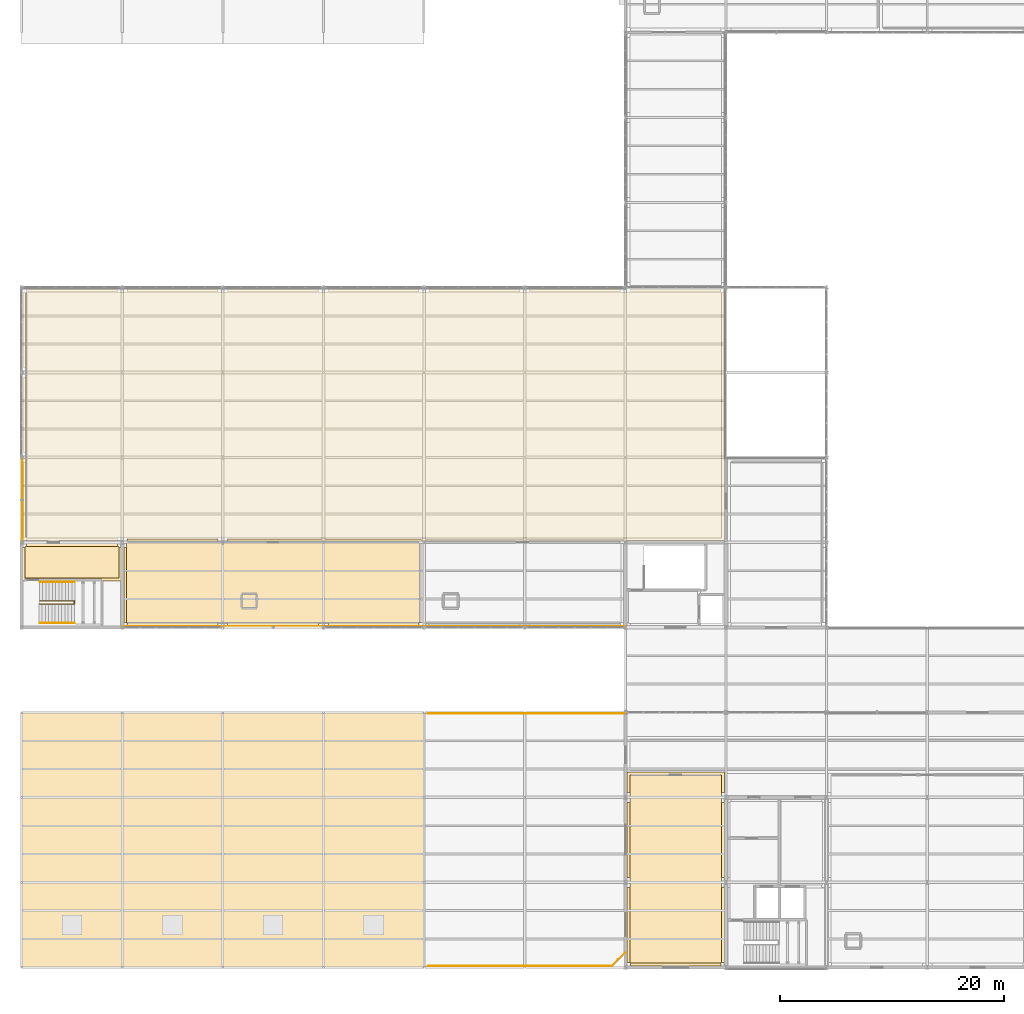
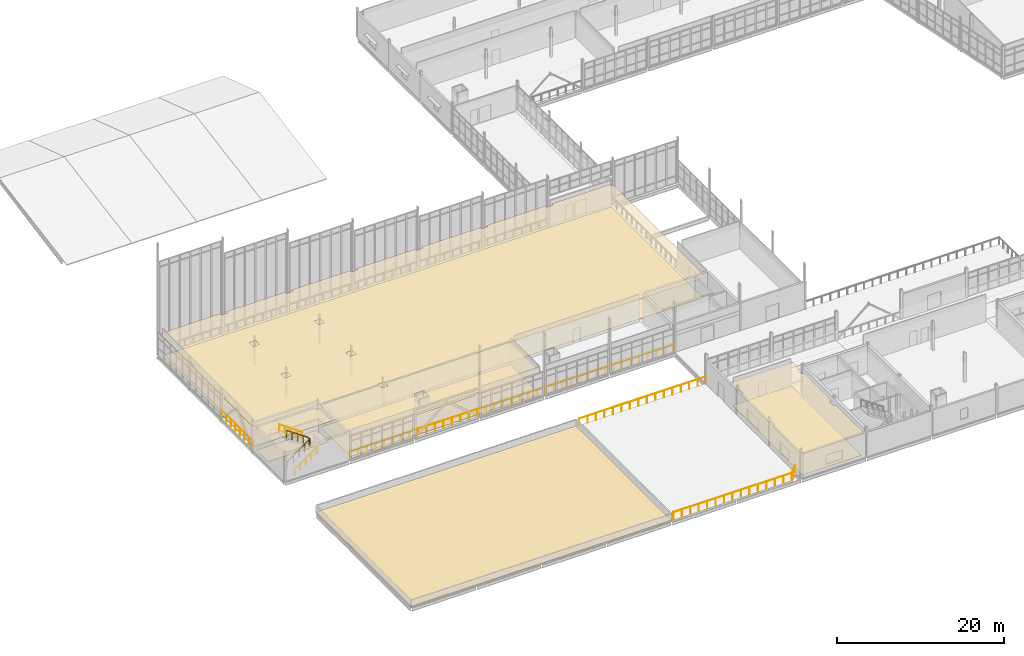
# One storey, part 161 of 166: 9 coverings, 7 railings.
"""IFC4 building model written with IfcOpenShell, lengths in metres."""

from ifc_helpers import new_model, si_unit, direction, frame, origin, origin_2d, place, context, subcontext, project, spatial, polyline, circle, outline, extrude, material, layer, layer_set, type_object, element, save


model = new_model("IFC4")

# Units and contexts
model_context = context("Model", 3, precision=1e-05, world=origin(), true_north=direction((0.0, 1.0)))
body_context = subcontext(model_context, "Body", "Model", "MODEL_VIEW")
ifc_project = project(units=[si_unit("LENGTHUNIT", "METRE"), si_unit("AREAUNIT", "SQUARE_METRE"), si_unit("VOLUMEUNIT", "CUBIC_METRE"), si_unit("PLANEANGLEUNIT", "RADIAN"), si_unit("MASSUNIT", "GRAM", prefix="KILO")], contexts=[model_context])

# Site, building, storey
site_placement = place(None, origin())
site = spatial("IfcSite", under=ifc_project, at=site_placement, CompositionType="ELEMENT")
building_placement = place(site_placement, origin())
building = spatial("IfcBuilding", under=site, at=building_placement, Name="Caisbarro Railhouse Central Library", CompositionType="ELEMENT")
storey_placement = place(building_placement, frame((0.0, 0.0, 9.360107421875)))
storey = spatial("IfcBuildingStorey", under=building, at=storey_placement, Name="L02", CompositionType="ELEMENT", Elevation=9.360107421875)

# Coverings
ifc_material_1 = material(Name="Perforated mineral-fibre acoustic ceiling tile")
ifc_layer_1 = layer(ifc_material_1, 0.01806640625, Name="Perforated mineral-fibre acoustic ceiling tile")
ifc_layer_set_1 = layer_set([ifc_layer_1], Name="Perforated mineral-fibre acoustic ceiling tile")
covering_type_1 = type_object("IfcCoveringType", Name="COV-CL01", PredefinedType="CEILING", material=ifc_layer_set_1)
covering_1_placement = place(storey_placement, frame((0.0, 0.0, 3.119873046875)))
element("IfcCovering", 1, at=covering_1_placement, inside=storey, type_object=covering_type_1, Name="CL01 acoustic ceiling Stair Lobby K6", PredefinedType="CEILING", context=body_context, shape_type="SweptSolid", body=[
    extrude(outline(polyline([(0.43994140625, 37.56005859375), (0.43994140625, 37.909912109375), (8.56005859375, 37.909912109375), (8.56005859375, 37.56005859375), (8.9599609375, 37.56005859375), (8.9599609375, 34.5400390625), (0.0400390625, 34.5400390625), (0.0400390625, 37.56005859375), (0.43994140625, 37.56005859375)])), origin(), (0.0, 0.0, 1.0), 0.01806640625),
])
covering_2_placement = place(storey_placement, frame((0.0, 0.0, 3.119873046875)))
element("IfcCovering", 2, at=covering_2_placement, inside=storey, type_object=covering_type_1, Name="CL01 acoustic ceiling Silent Research Alcove South", PredefinedType="CEILING", context=body_context, shape_type="SweptSolid", body=[
    extrude(outline(polyline([(17.56005859375, 30.840087890625), (17.56005859375, 30.5400390625), (9.43994140625, 30.5400390625), (9.43994140625, 30.840087890625), (9.139892578125, 30.840087890625), (9.139892578125, 37.56005859375), (9.43994140625, 37.56005859375), (9.43994140625, 38.260009765625), (17.56005859375, 38.260009765625), (17.56005859375, 37.56005859375), (18.43994140625, 37.56005859375), (18.43994140625, 38.260009765625), (35.860107421875, 38.260009765625), (35.860107421875, 30.840087890625), (35.56005859375, 30.840087890625), (35.56005859375, 30.5400390625), (27.43994140625, 30.5400390625), (27.43994140625, 30.840087890625), (26.56005859375, 30.840087890625), (26.56005859375, 30.5400390625), (18.43994140625, 30.5400390625), (18.43994140625, 30.840087890625), (17.56005859375, 30.840087890625)])), origin(), (0.0, 0.0, 1.0), 0.01806640625),
])
covering_3_placement = place(storey_placement, frame((0.0, 0.0, 3.25)))
element("IfcCovering", 3, at=covering_3_placement, inside=storey, type_object=covering_type_1, Name="CL01 acoustic ceiling Architecture and Art Folio Room", PredefinedType="CEILING", context=body_context, shape_type="SweptSolid", body=[
    extrude(outline(polyline([(54.139892578125, 0.43994140625), (54.139892578125, 7.159912109375), (54.43994140625, 7.159912109375), (54.43994140625, 8.0400390625), (54.139892578125, 8.0400390625), (54.139892578125, 14.760009765625), (54.43994140625, 14.760009765625), (54.43994140625, 15.639892578125), (54.139892578125, 15.639892578125), (54.139892578125, 17.4599609375), (62.860107421875, 17.4599609375), (62.860107421875, 15.639892578125), (62.56005859375, 15.639892578125), (62.56005859375, 14.760009765625), (62.860107421875, 14.760009765625), (62.860107421875, 8.0400390625), (62.56005859375, 8.0400390625), (62.56005859375, 7.159912109375), (62.860107421875, 7.159912109375), (62.860107421875, 0.43994140625), (62.56005859375, 0.43994140625), (62.56005859375, 0.139892578125), (54.43994140625, 0.139892578125), (54.43994140625, 0.43994140625), (54.139892578125, 0.43994140625)])), origin(), (0.0, 0.0, 1.0), 0.017822265625),
])
ifc_material_2 = material(Name="Slatted acoustic timber baffle ceiling", Category="wood")
ifc_layer_2 = layer(ifc_material_2, 0.031982421875, Name="Slatted acoustic timber baffle ceiling")
ifc_layer_set_2 = layer_set([ifc_layer_2], Name="Slatted acoustic timber baffle ceiling")
covering_type_2 = type_object("IfcCoveringType", Name="COV-CL02", PredefinedType="CEILING", material=ifc_layer_set_2)
covering_4_placement = place(storey_placement, frame((0.0, 0.0, 3.119873046875)))
element("IfcCovering", 4, at=covering_4_placement, inside=storey, type_object=covering_type_2, Name="CL02 acoustic ceiling Main Reading Hall", PredefinedType="CEILING", context=body_context, shape_type="SweptSolid", body=[
    extrude(outline(polyline([(0.43994140625, 60.659912109375), (8.56005859375, 60.659912109375), (8.56005859375, 60.360107421875), (9.43994140625, 60.360107421875), (9.43994140625, 60.659912109375), (17.56005859375, 60.659912109375), (17.56005859375, 60.360107421875), (18.43994140625, 60.360107421875), (18.43994140625, 60.659912109375), (26.56005859375, 60.659912109375), (26.56005859375, 60.360107421875), (27.43994140625, 60.360107421875), (27.43994140625, 60.659912109375), (35.56005859375, 60.659912109375), (35.56005859375, 60.360107421875), (36.43994140625, 60.360107421875), (36.43994140625, 60.659912109375), (44.56005859375, 60.659912109375), (44.56005859375, 60.360107421875), (45.43994140625, 60.360107421875), (45.43994140625, 60.659912109375), (53.56005859375, 60.659912109375), (53.56005859375, 60.360107421875), (54.43994140625, 60.360107421875), (54.43994140625, 60.659912109375), (62.56005859375, 60.659912109375), (62.56005859375, 60.360107421875), (62.860107421875, 60.360107421875), (62.860107421875, 38.139892578125), (18.43994140625, 38.139892578125), (18.43994140625, 38.43994140625), (17.56005859375, 38.43994140625), (17.56005859375, 38.139892578125), (9.43994140625, 38.139892578125), (9.43994140625, 38.43994140625), (8.56005859375, 38.43994140625), (8.56005859375, 38.139892578125), (0.43994140625, 38.139892578125), (0.43994140625, 38.43994140625), (0.139892578125, 38.43994140625), (0.139892578125, 45.159912109375), (0.43994140625, 45.159912109375), (0.43994140625, 46.0400390625), (0.139892578125, 46.0400390625), (0.139892578125, 52.760009765625), (0.43994140625, 52.760009765625), (0.43994140625, 53.639892578125), (0.139892578125, 53.639892578125), (0.139892578125, 60.360107421875), (0.43994140625, 60.360107421875), (0.43994140625, 60.659912109375)]), holes=[polyline([(9.43994140625, 45.159912109375), (9.43994140625, 46.0400390625), (8.56005859375, 46.0400390625), (8.56005859375, 45.159912109375), (9.43994140625, 45.159912109375)]), polyline([(8.56005859375, 52.760009765625), (9.43994140625, 52.760009765625), (9.43994140625, 53.639892578125), (8.56005859375, 53.639892578125), (8.56005859375, 52.760009765625)]), polyline([(18.43994140625, 45.159912109375), (18.43994140625, 46.0400390625), (17.56005859375, 46.0400390625), (17.56005859375, 45.159912109375), (18.43994140625, 45.159912109375)]), polyline([(17.56005859375, 52.760009765625), (18.43994140625, 52.760009765625), (18.43994140625, 53.639892578125), (17.56005859375, 53.639892578125), (17.56005859375, 52.760009765625)])]), origin(), (0.0, 0.0, 1.0), 0.031982421875),
])
ifc_material_3 = material(Name="Polished cementitious terrazzo flooring")
ifc_layer_3 = layer(ifc_material_3, 0.02197265625, Name="Polished cementitious terrazzo flooring")
ifc_layer_set_3 = layer_set([ifc_layer_3], Name="Polished cementitious terrazzo flooring")
covering_type_3 = type_object("IfcCoveringType", Name="COV-FL01", PredefinedType="FLOORING", material=ifc_layer_set_3)
covering_5_placement = place(storey_placement, origin())
element("IfcCovering", 5, at=covering_5_placement, inside=storey, type_object=covering_type_3, Name="FL01 flooring Stair Lobby K6", PredefinedType="FLOORING", context=body_context, shape_type="SweptSolid", body=[
    extrude(outline(polyline([(0.300048828125, 34.800048828125), (8.699951171875, 34.800048828125), (8.699951171875, 37.64990234375), (0.300048828125, 37.64990234375), (0.300048828125, 34.800048828125)])), origin(), (0.0, 0.0, 1.0), 0.02197265625),
])
covering_6_placement = place(storey_placement, origin())
element("IfcCovering", 6, at=covering_6_placement, inside=storey, type_object=covering_type_3, Name="FL01 flooring Main Reading Hall", PredefinedType="FLOORING", context=body_context, shape_type="SweptSolid", body=[
    extrude(outline(polyline([(0.39990234375, 38.39990234375), (62.60009765625, 38.39990234375), (62.60009765625, 60.39990234375), (0.39990234375, 60.39990234375), (0.39990234375, 38.39990234375)])), origin(), (0.0, 0.0, 1.0), 0.02197265625),
])
ifc_material_4 = material(Name="Heavy-duty acoustic linoleum flooring")
ifc_layer_4 = layer(ifc_material_4, 0.011962890625, Name="Heavy-duty acoustic linoleum flooring")
ifc_layer_set_4 = layer_set([ifc_layer_4], Name="Heavy-duty acoustic linoleum flooring")
covering_type_4 = type_object("IfcCoveringType", Name="COV-FL02", PredefinedType="FLOORING", material=ifc_layer_set_4)
covering_7_placement = place(storey_placement, origin())
element("IfcCovering", 7, at=covering_7_placement, inside=storey, type_object=covering_type_4, Name="FL02 flooring Silent Research Alcove South", PredefinedType="FLOORING", context=body_context, shape_type="SweptSolid", body=[
    extrude(outline(polyline([(9.39990234375, 30.800048828125), (35.60009765625, 30.800048828125), (35.60009765625, 38.0), (9.39990234375, 38.0), (9.39990234375, 30.800048828125)])), origin(), (0.0, 0.0, 1.0), 0.011962890625),
])
covering_8_placement = place(storey_placement, origin())
element("IfcCovering", 8, at=covering_8_placement, inside=storey, type_object=covering_type_4, Name="FL02 flooring Architecture and Art Folio Room", PredefinedType="FLOORING", context=body_context, shape_type="SweptSolid", body=[
    extrude(outline(polyline([(54.39990234375, 0.39990234375), (62.60009765625, 0.39990234375), (62.60009765625, 17.199951171875), (54.39990234375, 17.199951171875), (54.39990234375, 0.39990234375)])), origin(), (0.0, 0.0, 1.0), 0.011962890625),
])
ifc_material_5 = material(Name="TPO waterproof membrane over PIR insulation")
ifc_layer_5 = layer(ifc_material_5, 0.080078125, Name="TPO waterproof membrane over PIR insulation")
ifc_layer_set_5 = layer_set([ifc_layer_5], Name="TPO waterproof membrane over PIR insulation")
covering_type_5 = type_object("IfcCoveringType", Name="COV-ROOF01", PredefinedType="ROOFING", material=ifc_layer_set_5)
covering_9_placement = place(storey_placement, origin())
element("IfcCovering", 9, at=covering_9_placement, inside=storey, type_object=covering_type_5, Name="V5W Roof Waterproofing Membrane", PredefinedType="ROOFING", context=body_context, shape_type="SweptSolid", body=[
    extrude(outline(polyline([(0.0, 0.0), (36.0, 0.0), (36.0, 22.800048828125), (0.0, 22.800048828125), (0.0, 0.0)])), origin(), (0.0, 0.0, 1.0), 0.079833984375),
])

# Railings
ifc_material_6 = material(Name="Laminated safety glass balustrade with stainless top rail", Category="glass")
railing_type_1 = type_object("IfcRailingType", Name="RLG-ATR112", PredefinedType="GUARDRAIL", material=ifc_material_6)
railing_1_placement = place(storey_placement, frame((9.10009765625, 30.5, 0.0)))
element("IfcRailing", 10, at=railing_1_placement, inside=storey, type_object=railing_type_1, Name="RG02 Interior Void Balustrade L02-15", PredefinedType="GUARDRAIL", context=body_context, shape_type="SweptSolid", body=[
    extrude(circle(Radius=0.02392578125, at=origin_2d()), frame((0.0, 0.0, 1.09619140625), z_axis=(1.0, 0.0, 0.0), x_axis=(0.0, 1.0, 0.0)), (0.0, 0.0, 1.0), 44.7998046875),
    extrude(circle(Radius=0.02099609375, at=origin_2d()), origin(), (0.0, 0.0, 1.0), 1.072021484375),
    extrude(circle(Radius=0.02099609375, at=origin_2d()), frame((1.178955078125, 0.0, 0.0)), (0.0, 0.0, 1.0), 1.072021484375),
    extrude(circle(Radius=0.02099609375, at=origin_2d()), frame((2.35791015625, 0.0, 0.0)), (0.0, 0.0, 1.0), 1.072021484375),
    extrude(circle(Radius=0.02099609375, at=origin_2d()), frame((3.536865234375, 0.0, 0.0)), (0.0, 0.0, 1.0), 1.072021484375),
    extrude(circle(Radius=0.02099609375, at=origin_2d()), frame((4.7158203125, 0.0, 0.0)), (0.0, 0.0, 1.0), 1.072021484375),
    extrude(circle(Radius=0.02099609375, at=origin_2d()), frame((5.894775390625, 0.0, 0.0)), (0.0, 0.0, 1.0), 1.072021484375),
    extrude(circle(Radius=0.02099609375, at=origin_2d()), frame((7.07373046875, 0.0, 0.0)), (0.0, 0.0, 1.0), 1.072021484375),
    extrude(circle(Radius=0.02099609375, at=origin_2d()), frame((8.252685546875, 0.0, 0.0)), (0.0, 0.0, 1.0), 1.072021484375),
    extrude(circle(Radius=0.02099609375, at=origin_2d()), frame((9.431640625, 0.0, 0.0)), (0.0, 0.0, 1.0), 1.072021484375),
    extrude(circle(Radius=0.02099609375, at=origin_2d()), frame((10.610595703125, 0.0, 0.0)), (0.0, 0.0, 1.0), 1.072021484375),
    extrude(circle(Radius=0.02099609375, at=origin_2d()), frame((11.789306640625, 0.0, 0.0)), (0.0, 0.0, 1.0), 1.072021484375),
    extrude(circle(Radius=0.02099609375, at=origin_2d()), frame((12.96826171875, 0.0, 0.0)), (0.0, 0.0, 1.0), 1.072021484375),
    extrude(circle(Radius=0.02099609375, at=origin_2d()), frame((14.147216796875, 0.0, 0.0)), (0.0, 0.0, 1.0), 1.072021484375),
    extrude(circle(Radius=0.02099609375, at=origin_2d()), frame((15.326171875, 0.0, 0.0)), (0.0, 0.0, 1.0), 1.072021484375),
    extrude(circle(Radius=0.02099609375, at=origin_2d()), frame((16.505126953125, 0.0, 0.0)), (0.0, 0.0, 1.0), 1.072021484375),
    extrude(circle(Radius=0.02099609375, at=origin_2d()), frame((17.68408203125, 0.0, 0.0)), (0.0, 0.0, 1.0), 1.072021484375),
    extrude(circle(Radius=0.02099609375, at=origin_2d()), frame((18.863037109375, 0.0, 0.0)), (0.0, 0.0, 1.0), 1.072021484375),
    extrude(circle(Radius=0.02099609375, at=origin_2d()), frame((20.0419921875, 0.0, 0.0)), (0.0, 0.0, 1.0), 1.072021484375),
    extrude(circle(Radius=0.02099609375, at=origin_2d()), frame((21.220947265625, 0.0, 0.0)), (0.0, 0.0, 1.0), 1.072021484375),
    extrude(circle(Radius=0.02099609375, at=origin_2d()), frame((22.39990234375, 0.0, 0.0)), (0.0, 0.0, 1.0), 1.072021484375),
    extrude(circle(Radius=0.02099609375, at=origin_2d()), frame((23.578857421875, 0.0, 0.0)), (0.0, 0.0, 1.0), 1.072021484375),
    extrude(circle(Radius=0.02099609375, at=origin_2d()), frame((24.7578125, 0.0, 0.0)), (0.0, 0.0, 1.0), 1.072021484375),
    extrude(circle(Radius=0.02099609375, at=origin_2d()), frame((25.936767578125, 0.0, 0.0)), (0.0, 0.0, 1.0), 1.072021484375),
    extrude(circle(Radius=0.02099609375, at=origin_2d()), frame((27.11572265625, 0.0, 0.0)), (0.0, 0.0, 1.0), 1.072021484375),
    extrude(circle(Radius=0.02099609375, at=origin_2d()), frame((28.294677734375, 0.0, 0.0)), (0.0, 0.0, 1.0), 1.072021484375),
    extrude(circle(Radius=0.02099609375, at=origin_2d()), frame((29.4736328125, 0.0, 0.0)), (0.0, 0.0, 1.0), 1.072021484375),
    extrude(circle(Radius=0.02099609375, at=origin_2d()), frame((30.652587890625, 0.0, 0.0)), (0.0, 0.0, 1.0), 1.072021484375),
    extrude(circle(Radius=0.02099609375, at=origin_2d()), frame((31.83154296875, 0.0, 0.0)), (0.0, 0.0, 1.0), 1.072021484375),
    extrude(circle(Radius=0.02099609375, at=origin_2d()), frame((33.010498046875, 0.0, 0.0)), (0.0, 0.0, 1.0), 1.072021484375),
    extrude(circle(Radius=0.02099609375, at=origin_2d()), frame((34.189208984375, 0.0, 0.0)), (0.0, 0.0, 1.0), 1.072021484375),
    extrude(circle(Radius=0.02099609375, at=origin_2d()), frame((35.3681640625, 0.0, 0.0)), (0.0, 0.0, 1.0), 1.072021484375),
    extrude(circle(Radius=0.02099609375, at=origin_2d()), frame((36.547119140625, 0.0, 0.0)), (0.0, 0.0, 1.0), 1.072021484375),
    extrude(circle(Radius=0.02099609375, at=origin_2d()), frame((37.72607421875, 0.0, 0.0)), (0.0, 0.0, 1.0), 1.072021484375),
    extrude(circle(Radius=0.02099609375, at=origin_2d()), frame((38.905029296875, 0.0, 0.0)), (0.0, 0.0, 1.0), 1.072021484375),
    extrude(circle(Radius=0.02099609375, at=origin_2d()), frame((40.083984375, 0.0, 0.0)), (0.0, 0.0, 1.0), 1.072021484375),
    extrude(circle(Radius=0.02099609375, at=origin_2d()), frame((41.262939453125, 0.0, 0.0)), (0.0, 0.0, 1.0), 1.072021484375),
    extrude(circle(Radius=0.02099609375, at=origin_2d()), frame((42.44189453125, 0.0, 0.0)), (0.0, 0.0, 1.0), 1.072021484375),
    extrude(circle(Radius=0.02099609375, at=origin_2d()), frame((43.620849609375, 0.0, 0.0)), (0.0, 0.0, 1.0), 1.072021484375),
    extrude(circle(Radius=0.02099609375, at=origin_2d()), frame((44.7998046875, 0.0, 0.0)), (0.0, 0.0, 1.0), 1.072021484375),
])
railing_2_placement = place(storey_placement, frame((0.10009765625, 38.0, 0.0)))
element("IfcRailing", 11, at=railing_2_placement, inside=storey, type_object=railing_type_1, Name="RG02 Interior Void Balustrade L02-30", PredefinedType="GUARDRAIL", context=body_context, shape_type="SweptSolid", body=[
    extrude(circle(Radius=0.02392578125, at=origin_2d()), frame((0.0, 0.0, 1.09619140625), z_axis=(0.0, 1.0, 0.0), x_axis=(-1.0, 0.0, 0.0)), (0.0, 0.0, 1.0), 7.60009765625),
    extrude(circle(Radius=0.02099609375, at=origin_2d()), origin(), (0.0, 0.0, 1.0), 1.072021484375),
    extrude(circle(Radius=0.02099609375, at=origin_2d()), frame((0.0, 1.085693359375, 0.0)), (0.0, 0.0, 1.0), 1.072021484375),
    extrude(circle(Radius=0.02099609375, at=origin_2d()), frame((0.0, 2.17138671875, 0.0)), (0.0, 0.0, 1.0), 1.072021484375),
    extrude(circle(Radius=0.02099609375, at=origin_2d()), frame((0.0, 3.257080078125, 0.0)), (0.0, 0.0, 1.0), 1.072021484375),
    extrude(circle(Radius=0.02099609375, at=origin_2d()), frame((0.0, 4.343017578125, 0.0)), (0.0, 0.0, 1.0), 1.072021484375),
    extrude(circle(Radius=0.02099609375, at=origin_2d()), frame((0.0, 5.4287109375, 0.0)), (0.0, 0.0, 1.0), 1.072021484375),
    extrude(circle(Radius=0.02099609375, at=origin_2d()), frame((0.0, 6.514404296875, 0.0)), (0.0, 0.0, 1.0), 1.072021484375),
    extrude(circle(Radius=0.02099609375, at=origin_2d()), frame((0.0, 7.60009765625, 0.0)), (0.0, 0.0, 1.0), 1.072021484375),
])
ifc_material_7 = material(Name="Brushed stainless steel Grade 316", Category="steel")
railing_type_2 = type_object("IfcRailingType", Name="RLG-EXT110", PredefinedType="GUARDRAIL", material=ifc_material_7)
railing_3_placement = place(storey_placement, frame((53.949951171875, 22.699951171875, 0.0)))
element("IfcRailing", 12, at=railing_3_placement, inside=storey, type_object=railing_type_2, Name="RG01 Terrace Guardrail TR-L02-W North", PredefinedType="GUARDRAIL", context=body_context, shape_type="SweptSolid", body=[
    extrude(circle(Radius=0.02392578125, at=origin_2d()), frame((0.0, 0.0, 1.076171875), z_axis=(-1.0, 0.0, 0.0), x_axis=(0.0, -1.0, 0.0)), (0.0, 0.0, 1.0), 17.58984375),
    extrude(circle(Radius=0.02099609375, at=origin_2d()), origin(), (0.0, 0.0, 1.0), 1.052001953125),
    extrude(circle(Radius=0.02099609375, at=origin_2d()), frame((-1.172607421875, 0.0, 0.0)), (0.0, 0.0, 1.0), 1.052001953125),
    extrude(circle(Radius=0.02099609375, at=origin_2d()), frame((-2.34521484375, 0.0, 0.0)), (0.0, 0.0, 1.0), 1.052001953125),
    extrude(circle(Radius=0.02099609375, at=origin_2d()), frame((-3.51806640625, 0.0, 0.0)), (0.0, 0.0, 1.0), 1.052001953125),
    extrude(circle(Radius=0.02099609375, at=origin_2d()), frame((-4.690673828125, 0.0, 0.0)), (0.0, 0.0, 1.0), 1.052001953125),
    extrude(circle(Radius=0.02099609375, at=origin_2d()), frame((-5.86328125, 0.0, 0.0)), (0.0, 0.0, 1.0), 1.052001953125),
    extrude(circle(Radius=0.02099609375, at=origin_2d()), frame((-7.035888671875, 0.0, 0.0)), (0.0, 0.0, 1.0), 1.052001953125),
    extrude(circle(Radius=0.02099609375, at=origin_2d()), frame((-8.20849609375, 0.0, 0.0)), (0.0, 0.0, 1.0), 1.052001953125),
    extrude(circle(Radius=0.02099609375, at=origin_2d()), frame((-9.38134765625, 0.0, 0.0)), (0.0, 0.0, 1.0), 1.052001953125),
    extrude(circle(Radius=0.02099609375, at=origin_2d()), frame((-10.553955078125, 0.0, 0.0)), (0.0, 0.0, 1.0), 1.052001953125),
    extrude(circle(Radius=0.02099609375, at=origin_2d()), frame((-11.7265625, 0.0, 0.0)), (0.0, 0.0, 1.0), 1.052001953125),
    extrude(circle(Radius=0.02099609375, at=origin_2d()), frame((-12.899169921875, 0.0, 0.0)), (0.0, 0.0, 1.0), 1.052001953125),
    extrude(circle(Radius=0.02099609375, at=origin_2d()), frame((-14.07177734375, 0.0, 0.0)), (0.0, 0.0, 1.0), 1.052001953125),
    extrude(circle(Radius=0.02099609375, at=origin_2d()), frame((-15.24462890625, 0.0, 0.0)), (0.0, 0.0, 1.0), 1.052001953125),
    extrude(circle(Radius=0.02099609375, at=origin_2d()), frame((-16.417236328125, 0.0, 0.0)), (0.0, 0.0, 1.0), 1.052001953125),
    extrude(circle(Radius=0.02099609375, at=origin_2d()), frame((-17.58984375, 0.0, 0.0)), (0.0, 0.0, 1.0), 1.052001953125),
])
railing_4_placement = place(storey_placement, frame((36.360107421875, 0.10009765625, 0.0)))
element("IfcRailing", 13, at=railing_4_placement, inside=storey, type_object=railing_type_2, Name="RG01 Terrace Guardrail TR-L02-W", PredefinedType="GUARDRAIL", context=body_context, shape_type="SweptSolid", body=[
    extrude(circle(Radius=0.02392578125, at=origin_2d()), frame((0.0, 0.0, 1.076171875), z_axis=(1.0, 0.0, 0.0), x_axis=(0.0, 1.0, 0.0)), (0.0, 0.0, 1.0), 16.389892578125),
    extrude(circle(Radius=0.02392578125, at=origin_2d()), frame((16.389892578125, 0.0, 1.076171875), z_axis=(0.707106781187, 0.707106781187, 0.0), x_axis=(-0.707106781187, 0.707106781187, 0.0)), (0.0, 0.0, 1.0), 1.697021484375),
    extrude(circle(Radius=0.02099609375, at=origin_2d()), origin(), (0.0, 0.0, 1.0), 1.052001953125),
    extrude(circle(Radius=0.02099609375, at=origin_2d()), frame((1.170654296875, 0.0, 0.0)), (0.0, 0.0, 1.0), 1.052001953125),
    extrude(circle(Radius=0.02099609375, at=origin_2d()), frame((2.34130859375, 0.0, 0.0)), (0.0, 0.0, 1.0), 1.052001953125),
    extrude(circle(Radius=0.02099609375, at=origin_2d()), frame((3.51220703125, 0.0, 0.0)), (0.0, 0.0, 1.0), 1.052001953125),
    extrude(circle(Radius=0.02099609375, at=origin_2d()), frame((4.682861328125, 0.0, 0.0)), (0.0, 0.0, 1.0), 1.052001953125),
    extrude(circle(Radius=0.02099609375, at=origin_2d()), frame((5.853515625, 0.0, 0.0)), (0.0, 0.0, 1.0), 1.052001953125),
    extrude(circle(Radius=0.02099609375, at=origin_2d()), frame((7.024169921875, 0.0, 0.0)), (0.0, 0.0, 1.0), 1.052001953125),
    extrude(circle(Radius=0.02099609375, at=origin_2d()), frame((8.19482421875, 0.0, 0.0)), (0.0, 0.0, 1.0), 1.052001953125),
    extrude(circle(Radius=0.02099609375, at=origin_2d()), frame((9.36572265625, 0.0, 0.0)), (0.0, 0.0, 1.0), 1.052001953125),
    extrude(circle(Radius=0.02099609375, at=origin_2d()), frame((10.536376953125, 0.0, 0.0)), (0.0, 0.0, 1.0), 1.052001953125),
    extrude(circle(Radius=0.02099609375, at=origin_2d()), frame((11.70703125, 0.0, 0.0)), (0.0, 0.0, 1.0), 1.052001953125),
    extrude(circle(Radius=0.02099609375, at=origin_2d()), frame((12.877685546875, 0.0, 0.0)), (0.0, 0.0, 1.0), 1.052001953125),
    extrude(circle(Radius=0.02099609375, at=origin_2d()), frame((14.048583984375, 0.0, 0.0)), (0.0, 0.0, 1.0), 1.052001953125),
    extrude(circle(Radius=0.02099609375, at=origin_2d()), frame((15.21923828125, 0.0, 0.0)), (0.0, 0.0, 1.0), 1.052001953125),
    extrude(circle(Radius=0.02099609375, at=origin_2d()), frame((16.389892578125, 0.0, 0.0)), (0.0, 0.0, 1.0), 1.052001953125),
    extrude(circle(Radius=0.02099609375, at=origin_2d()), frame((16.98974609375, 0.60009765625, 0.0)), (0.0, 0.0, 1.0), 1.052001953125),
    extrude(circle(Radius=0.02099609375, at=origin_2d()), frame((17.58984375, 1.199951171875, 0.0)), (0.0, 0.0, 1.0), 1.052001953125),
])
railing_type_3 = type_object("IfcRailingType", Name="RLG-STR092", PredefinedType="HANDRAIL", material=ifc_material_7)
railing_5_placement = place(storey_placement, frame((1.64990234375, 30.7900390625, 0.0)))
element("IfcRailing", 14, at=railing_5_placement, inside=storey, type_object=railing_type_3, Name="Stair ST-06 Outer Handrail F1 L02", PredefinedType="HANDRAIL", context=body_context, shape_type="SweptSolid", body=[
    extrude(circle(Radius=0.02392578125, at=origin_2d()), frame((0.0, 0.0, 0.89599609375), z_axis=(0.819624179701, 0.0, 0.572901565759), x_axis=(0.0, 1.0, 0.0)), (0.0, 0.0, 1.0), 3.77001953125),
    extrude(circle(Radius=0.02099609375, at=origin_2d()), origin(), (0.0, 0.0, 1.0), 0.871826171875),
    extrude(circle(Radius=0.02099609375, at=origin_2d()), frame((0.7724609375, 0.0, 0.5400390625)), (0.0, 0.0, 1.0), 0.871826171875),
    extrude(circle(Radius=0.02099609375, at=origin_2d()), frame((1.544921875, 0.0, 1.080078125)), (0.0, 0.0, 1.0), 0.871826171875),
    extrude(circle(Radius=0.02099609375, at=origin_2d()), frame((2.317626953125, 0.0, 1.619873046875)), (0.0, 0.0, 1.0), 0.871826171875),
    extrude(circle(Radius=0.02099609375, at=origin_2d()), frame((3.090087890625, 0.0, 2.159912109375)), (0.0, 0.0, 1.0), 0.871826171875),
])
railing_6_placement = place(storey_placement, frame((4.739990234375, 34.4599609375, 2.159912109375)))
element("IfcRailing", 15, at=railing_6_placement, inside=storey, type_object=railing_type_3, Name="Stair ST-06 Outer Handrail F2 L02", PredefinedType="HANDRAIL", context=body_context, shape_type="SweptSolid", body=[
    extrude(circle(Radius=0.02392578125, at=origin_2d()), frame((0.0, 0.0, 0.89599609375), z_axis=(-0.819624179701, 0.0, 0.572901565759), x_axis=(0.0, -1.0, 0.0)), (0.0, 0.0, 1.0), 3.77001953125),
    extrude(circle(Radius=0.02099609375, at=origin_2d()), origin(), (0.0, 0.0, 1.0), 0.871826171875),
    extrude(circle(Radius=0.02099609375, at=origin_2d()), frame((-0.7724609375, 0.0, 0.5400390625)), (0.0, 0.0, 1.0), 0.871826171875),
    extrude(circle(Radius=0.02099609375, at=origin_2d()), frame((-1.544921875, 0.0, 1.080078125)), (0.0, 0.0, 1.0), 0.871826171875),
    extrude(circle(Radius=0.02099609375, at=origin_2d()), frame((-2.317626953125, 0.0, 1.619873046875)), (0.0, 0.0, 1.0), 0.871826171875),
    extrude(circle(Radius=0.02099609375, at=origin_2d()), frame((-3.090087890625, 0.0, 2.159912109375)), (0.0, 0.0, 1.0), 0.871826171875),
])
railing_type_4 = type_object("IfcRailingType", Name="RLG-STR110", PredefinedType="GUARDRAIL", material=ifc_material_7)
railing_7_placement = place(storey_placement, frame((1.64990234375, 32.489990234375, 0.0)))
element("IfcRailing", 16, at=railing_7_placement, inside=storey, type_object=railing_type_4, Name="Stair ST-06 Inner Well Guardrail L02", PredefinedType="GUARDRAIL", context=body_context, shape_type="SweptSolid", body=[
    extrude(circle(Radius=0.02392578125, at=origin_2d()), frame((0.0, 0.0, 1.076171875), z_axis=(0.819624179701, 0.0, 0.572901565759), x_axis=(0.0, 1.0, 0.0)), (0.0, 0.0, 1.0), 3.77001953125),
    extrude(circle(Radius=0.02392578125, at=origin_2d()), frame((3.090087890625, 0.0, 3.23583984375), z_axis=(0.0, 1.0, 0.0), x_axis=(-1.0, 0.0, 0.0)), (0.0, 0.0, 1.0), 0.27001953125),
    extrude(circle(Radius=0.02392578125, at=origin_2d()), frame((3.090087890625, 0.27001953125, 3.23583984375), z_axis=(-0.819624179701, 0.0, 0.572901565759), x_axis=(0.0, -1.0, 0.0)), (0.0, 0.0, 1.0), 3.77001953125),
    extrude(circle(Radius=0.02099609375, at=origin_2d()), origin(), (0.0, 0.0, 1.0), 1.052001953125),
    extrude(circle(Radius=0.02099609375, at=origin_2d()), frame((0.7724609375, 0.0, 0.5400390625)), (0.0, 0.0, 1.0), 1.052001953125),
    extrude(circle(Radius=0.02099609375, at=origin_2d()), frame((1.544921875, 0.0, 1.080078125)), (0.0, 0.0, 1.0), 1.052001953125),
    extrude(circle(Radius=0.02099609375, at=origin_2d()), frame((2.317626953125, 0.0, 1.619873046875)), (0.0, 0.0, 1.0), 1.052001953125),
    extrude(circle(Radius=0.02099609375, at=origin_2d()), frame((3.090087890625, 0.0, 2.159912109375)), (0.0, 0.0, 1.0), 1.052001953125),
    extrude(circle(Radius=0.02099609375, at=origin_2d()), frame((3.090087890625, 0.27001953125, 2.159912109375)), (0.0, 0.0, 1.0), 1.052001953125),
    extrude(circle(Radius=0.02099609375, at=origin_2d()), frame((2.317626953125, 0.27001953125, 2.699951171875)), (0.0, 0.0, 1.0), 1.052001953125),
    extrude(circle(Radius=0.02099609375, at=origin_2d()), frame((1.544921875, 0.27001953125, 3.23974609375)), (0.0, 0.0, 1.0), 1.052001953125),
    extrude(circle(Radius=0.02099609375, at=origin_2d()), frame((0.7724609375, 0.27001953125, 3.77978515625)), (0.0, 0.0, 1.0), 1.052001953125),
    extrude(circle(Radius=0.02099609375, at=origin_2d()), frame((0.0, 0.27001953125, 4.31982421875)), (0.0, 0.0, 1.0), 1.052001953125),
])

save(model, "model.ifc")
